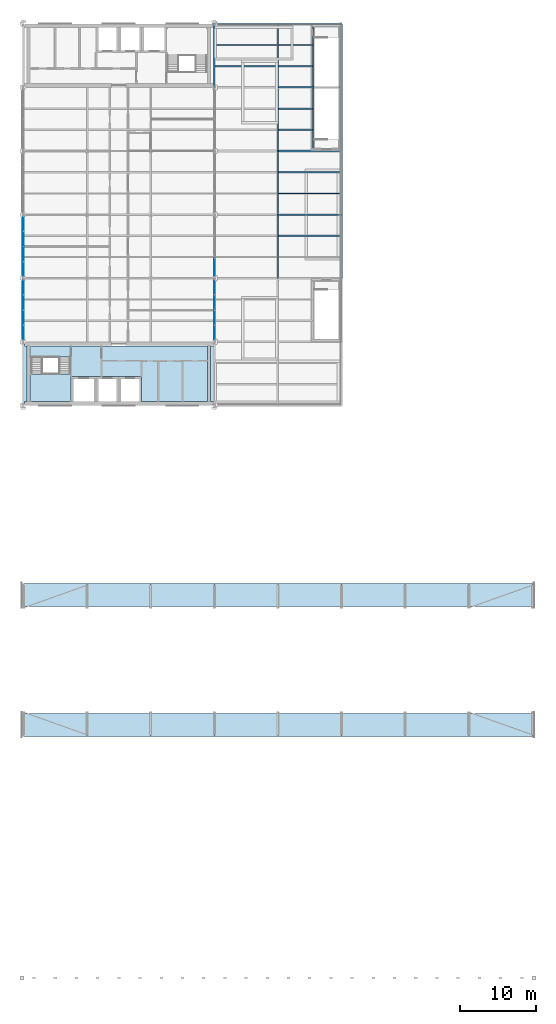
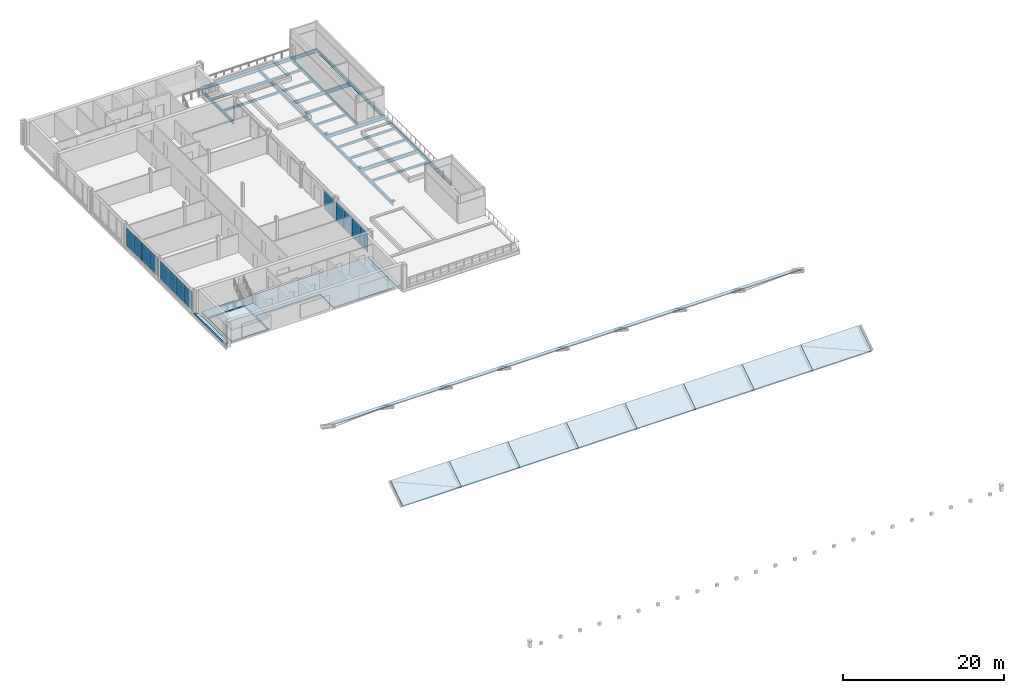
# One storey, part 22 of 32: 25 beams, 20 slabs, 13 plates, 5 elements without a shape of their own.
"""IFC4 building model written with IfcOpenShell, lengths in metres."""

from ifc_helpers import new_model, si_unit, direction, frame, origin, origin_2d, place, context, subcontext, project, spatial, polyline, rectangle, i_section, outline, extrude, material, layer, layer_set, material_profile, profile_set, type_object, element, aggregate, save


model = new_model("IFC4")

# Units and contexts
model_context = context("Model", 3, precision=1e-05, world=origin(), true_north=direction((0.0, 1.0)))
body_context = subcontext(model_context, "Body", "Model", "MODEL_VIEW")
ifc_project = project(units=[si_unit("LENGTHUNIT", "METRE"), si_unit("AREAUNIT", "SQUARE_METRE"), si_unit("VOLUMEUNIT", "CUBIC_METRE"), si_unit("PLANEANGLEUNIT", "RADIAN"), si_unit("MASSUNIT", "GRAM", prefix="KILO")], contexts=[model_context])

# Site, building, storey
site_placement = place(None, origin())
site = spatial("IfcSite", under=ifc_project, at=site_placement, CompositionType="ELEMENT")
building_placement = place(site_placement, origin())
building = spatial("IfcBuilding", under=site, at=building_placement, Name="Catenary Quay Ferry Terminal", CompositionType="ELEMENT")
storey_placement = place(building_placement, frame((0.0, 0.0, 17.10009765625)))
storey = spatial("IfcBuildingStorey", under=building, at=storey_placement, Name="L03", CompositionType="ELEMENT", Elevation=17.10009765625)

# Beams
ifc_material_1 = material(Name="Steel S355", Category="steel")
ifc_material_profile_1 = material_profile(ifc_material_1, i_section(OverallWidth=0.18994140625, OverallDepth=0.453369140625, WebThickness=0.008544921875, FlangeThickness=0.0126953125, at=origin_2d()), Name="UB 457x191x67")
ifc_profile_set_1 = profile_set([ifc_material_profile_1], Name="Steel S355")
beam_type_1 = type_object("IfcBeamType", Name="B1 UB 457x191x67", PredefinedType="BEAM", material=ifc_profile_set_1)
beam_1_placement = place(storey_placement, frame((50.39990234375, 201.60009765625, -0.47705078125), z_axis=(0.0, 1.0, 0.0), x_axis=(-1.0, 0.0, 0.0)))
element("IfcBeam", 1, at=beam_1_placement, inside=storey, type_object=beam_type_1, Name="Beam B1-021", PredefinedType="BEAM", context=body_context, shape_type="SweptSolid", body=[
    extrude(i_section(OverallWidth=0.18994140625, OverallDepth=0.453369140625, WebThickness=0.008544921875, FlangeThickness=0.0126953125, at=origin_2d()), origin(), (0.0, 0.0, 1.0), 8.39990234375),
])
beam_2_placement = place(storey_placement, frame((63.449951171875, 193.303955078125, -0.47705078125), z_axis=(0.0, 1.0, 0.0), x_axis=(-1.0, 0.0, 0.0)))
element("IfcBeam", 2, at=beam_2_placement, inside=storey, type_object=beam_type_1, Name="Beam B1-031", PredefinedType="BEAM", context=body_context, shape_type="SweptSolid", body=[
    extrude(i_section(OverallWidth=0.18994140625, OverallDepth=0.453369140625, WebThickness=0.008544921875, FlangeThickness=0.0126953125, at=origin_2d()), origin(), (0.0, 0.0, 1.0), 8.192138671875),
])
beam_3_placement = place(storey_placement, frame((63.449951171875, 201.7041015625, -0.47705078125), z_axis=(0.0, 1.0, 0.0), x_axis=(-1.0, 0.0, 0.0)))
element("IfcBeam", 3, at=beam_3_placement, inside=storey, type_object=beam_type_1, Name="Beam B1-032", PredefinedType="BEAM", context=body_context, shape_type="SweptSolid", body=[
    extrude(i_section(OverallWidth=0.18994140625, OverallDepth=0.453369140625, WebThickness=0.008544921875, FlangeThickness=0.0126953125, at=origin_2d()), origin(), (0.0, 0.0, 1.0), 8.19189453125),
])
ifc_material_2 = material(Name="Steel S355", Category="steel")
ifc_material_profile_2 = material_profile(ifc_material_2, i_section(OverallWidth=0.208740234375, OverallDepth=0.5283203125, WebThickness=0.009521484375, FlangeThickness=0.01318359375, at=origin_2d()), Name="UB 533x210x82")
ifc_profile_set_2 = profile_set([ifc_material_profile_2], Name="Steel S355")
beam_type_2 = type_object("IfcBeamType", Name="B5 UB 533x210x82", PredefinedType="BEAM", material=ifc_profile_set_2)
for number, where, z_axis, x_axis, name in (
    (4, (58.800048828125, 184.800048828125, -0.51416015625), (1.0, 0.0, 0.0), (0.0, 1.0, 0.0), "Beam B5-008"),
    (5, (58.800048828125, 193.199951171875, -0.51416015625), (1.0, 0.0, 0.0), (0.0, 1.0, 0.0), "Beam B5-010"),
    (6, (58.800048828125, 201.60009765625, -0.51416015625), (1.0, 0.0, 0.0), (0.0, 1.0, 0.0), "Beam B5-012"),
):
    element("IfcBeam", number, at=place(storey_placement, frame(where, z_axis=z_axis, x_axis=x_axis)), inside=storey, type_object=beam_type_2, Name=name, PredefinedType="BEAM", context=body_context, shape_type="SweptSolid", body=[
        extrude(i_section(OverallWidth=0.208740234375, OverallDepth=0.5283203125, WebThickness=0.009521484375, FlangeThickness=0.01318359375, at=origin_2d()), origin(), (0.0, 0.0, 1.0), 8.39990234375),
    ])
beam_4_placement = place(storey_placement, frame((50.39990234375, 210.0, -0.51416015625), z_axis=(1.0, 0.0, 0.0), x_axis=(0.0, 1.0, 0.0)))
element("IfcBeam", 7, at=beam_4_placement, inside=storey, type_object=beam_type_2, Name="Beam B5-013", PredefinedType="BEAM", context=body_context, shape_type="SweptSolid", body=[
    extrude(i_section(OverallWidth=0.208740234375, OverallDepth=0.5283203125, WebThickness=0.009521484375, FlangeThickness=0.01318359375, at=origin_2d()), origin(), (0.0, 0.0, 1.0), 8.400146484375),
])
beam_5_placement = place(storey_placement, frame((58.800048828125, 210.0, -0.51416015625), z_axis=(1.0, 0.0, 0.0), x_axis=(0.0, 1.0, 0.0)))
element("IfcBeam", 8, at=beam_5_placement, inside=storey, type_object=beam_type_2, Name="Beam B5-014", PredefinedType="BEAM", context=body_context, shape_type="SweptSolid", body=[
    extrude(i_section(OverallWidth=0.208740234375, OverallDepth=0.5283203125, WebThickness=0.009521484375, FlangeThickness=0.01318359375, at=origin_2d()), origin(), (0.0, 0.0, 1.0), 8.39990234375),
])
beam_6_placement = place(storey_placement, frame((58.800048828125, 176.39990234375, -0.51416015625), z_axis=(0.0, 1.0, 0.0), x_axis=(-1.0, 0.0, 0.0)))
element("IfcBeam", 9, at=beam_6_placement, inside=storey, type_object=beam_type_2, Name="Beam B5-017", PredefinedType="BEAM", context=body_context, shape_type="SweptSolid", body=[
    extrude(i_section(OverallWidth=0.208740234375, OverallDepth=0.5283203125, WebThickness=0.009521484375, FlangeThickness=0.01318359375, at=origin_2d()), origin(), (0.0, 0.0, 1.0), 8.400146484375),
])
beam_7_placement = place(storey_placement, frame((58.800048828125, 184.800048828125, -0.51416015625), z_axis=(0.0, 1.0, 0.0), x_axis=(-1.0, 0.0, 0.0)))
element("IfcBeam", 10, at=beam_7_placement, inside=storey, type_object=beam_type_2, Name="Beam B5-018", PredefinedType="BEAM", context=body_context, shape_type="SweptSolid", body=[
    extrude(i_section(OverallWidth=0.208740234375, OverallDepth=0.5283203125, WebThickness=0.009521484375, FlangeThickness=0.01318359375, at=origin_2d()), origin(), (0.0, 0.0, 1.0), 8.39990234375),
])
beam_8_placement = place(storey_placement, frame((58.800048828125, 193.199951171875, -0.51416015625), z_axis=(0.0, 1.0, 0.0), x_axis=(-1.0, 0.0, 0.0)))
element("IfcBeam", 11, at=beam_8_placement, inside=storey, type_object=beam_type_2, Name="Beam B5-019", PredefinedType="BEAM", context=body_context, shape_type="SweptSolid", body=[
    extrude(i_section(OverallWidth=0.208740234375, OverallDepth=0.5283203125, WebThickness=0.009521484375, FlangeThickness=0.01318359375, at=origin_2d()), origin(), (0.0, 0.0, 1.0), 8.400146484375),
])
beam_9_placement = place(storey_placement, frame((58.800048828125, 201.60009765625, -0.51416015625), z_axis=(0.0, 1.0, 0.0), x_axis=(-1.0, 0.0, 0.0)))
element("IfcBeam", 12, at=beam_9_placement, inside=storey, type_object=beam_type_2, Name="Beam B5-020", PredefinedType="BEAM", context=body_context, shape_type="SweptSolid", body=[
    extrude(i_section(OverallWidth=0.208740234375, OverallDepth=0.5283203125, WebThickness=0.009521484375, FlangeThickness=0.01318359375, at=origin_2d()), origin(), (0.0, 0.0, 1.0), 8.39990234375),
])
beam_10_placement = place(storey_placement, frame((67.199951171875, 176.39990234375, -0.51416015625), z_axis=(0.0, 1.0, 0.0), x_axis=(-1.0, 0.0, 0.0)))
element("IfcBeam", 13, at=beam_10_placement, inside=storey, type_object=beam_type_2, Name="Beam B5-023", PredefinedType="BEAM", context=body_context, shape_type="SweptSolid", body=[
    extrude(i_section(OverallWidth=0.208740234375, OverallDepth=0.5283203125, WebThickness=0.009521484375, FlangeThickness=0.01318359375, at=origin_2d()), origin(), (0.0, 0.0, 1.0), 8.400146484375),
])
beam_11_placement = place(storey_placement, frame((67.199951171875, 184.800048828125, -0.51416015625), z_axis=(0.0, 1.0, 0.0), x_axis=(-1.0, 0.0, 0.0)))
element("IfcBeam", 14, at=beam_11_placement, inside=storey, type_object=beam_type_2, Name="Beam B5-024", PredefinedType="BEAM", context=body_context, shape_type="SweptSolid", body=[
    extrude(i_section(OverallWidth=0.208740234375, OverallDepth=0.5283203125, WebThickness=0.009521484375, FlangeThickness=0.01318359375, at=origin_2d()), origin(), (0.0, 0.0, 1.0), 8.39990234375),
])
beam_12_placement = place(storey_placement, frame((67.199951171875, 193.199951171875, -0.51416015625), z_axis=(0.0, 1.0, 0.0), x_axis=(-1.0, 0.0, 0.0)))
element("IfcBeam", 15, at=beam_12_placement, inside=storey, type_object=beam_type_2, Name="Beam B5-025", PredefinedType="BEAM", context=body_context, shape_type="SweptSolid", body=[
    extrude(i_section(OverallWidth=0.208740234375, OverallDepth=0.5283203125, WebThickness=0.009521484375, FlangeThickness=0.01318359375, at=origin_2d()), origin(), (0.0, 0.0, 1.0), 8.400146484375),
])
beam_13_placement = place(storey_placement, frame((67.199951171875, 201.60009765625, -0.51416015625), z_axis=(0.0, 1.0, 0.0), x_axis=(-1.0, 0.0, 0.0)))
element("IfcBeam", 16, at=beam_13_placement, inside=storey, type_object=beam_type_2, Name="Beam B5-026", PredefinedType="BEAM", context=body_context, shape_type="SweptSolid", body=[
    extrude(i_section(OverallWidth=0.208740234375, OverallDepth=0.5283203125, WebThickness=0.009521484375, FlangeThickness=0.01318359375, at=origin_2d()), origin(), (0.0, 0.0, 1.0), 8.39990234375),
])
ifc_material_3 = material(Name="Steel S355", Category="steel")
ifc_material_profile_3 = material_profile(ifc_material_3, i_section(OverallWidth=0.169921875, OverallDepth=0.360107421875, WebThickness=0.008056640625, FlangeThickness=0.0126953125, at=origin_2d()), Name="IPE 360")
ifc_profile_set_3 = profile_set([ifc_material_profile_3], Name="Steel S355")
beam_type_3 = type_object("IfcBeamType", Name="B7 IPE 360", PredefinedType="BEAM", material=ifc_profile_set_3)
for number, where, z_axis, x_axis, name in (
    (17, (58.904052734375, 182.0, -0.43017578125), (1.0, 0.0, 0.0), (0.0, 1.0, 0.0), "Beam B7-012"),
    (18, (58.904052734375, 187.60009765625, -0.43017578125), (1.0, 0.0, 0.0), (0.0, 1.0, 0.0), "Beam B7-014"),
    (19, (58.904052734375, 190.39990234375, -0.43017578125), (1.0, 0.0, 0.0), (0.0, 1.0, 0.0), "Beam B7-016"),
):
    element("IfcBeam", number, at=place(storey_placement, frame(where, z_axis=z_axis, x_axis=x_axis)), inside=storey, type_object=beam_type_3, Name=name, PredefinedType="BEAM", context=body_context, shape_type="SweptSolid", body=[
        extrude(i_section(OverallWidth=0.169921875, OverallDepth=0.360107421875, WebThickness=0.008056640625, FlangeThickness=0.0126953125, at=origin_2d()), origin(), (0.0, 0.0, 1.0), 8.19189453125),
    ])
for number, where, z_axis, x_axis, name in (
    (20, (58.904052734375, 196.0, -0.43017578125), (1.0, 0.0, 0.0), (0.0, 1.0, 0.0), "Beam B7-018"),
    (21, (58.904052734375, 198.800048828125, -0.43017578125), (1.0, 0.0, 0.0), (0.0, 1.0, 0.0), "Beam B7-020"),
):
    element("IfcBeam", number, at=place(storey_placement, frame(where, z_axis=z_axis, x_axis=x_axis)), inside=storey, type_object=beam_type_3, Name=name, PredefinedType="BEAM", context=body_context, shape_type="SweptSolid", body=[
        extrude(i_section(OverallWidth=0.169921875, OverallDepth=0.360107421875, WebThickness=0.008056640625, FlangeThickness=0.0126953125, at=origin_2d()), origin(), (0.0, 0.0, 1.0), 4.450927734375),
    ])
beam_14_placement = place(storey_placement, frame((50.4951171875, 204.39990234375, -0.43017578125), z_axis=(1.0, 0.0, 0.0), x_axis=(0.0, 1.0, 0.0)))
element("IfcBeam", 22, at=beam_14_placement, inside=storey, type_object=beam_type_3, Name="Beam B7-021", PredefinedType="BEAM", context=body_context, shape_type="SweptSolid", body=[
    extrude(i_section(OverallWidth=0.169921875, OverallDepth=0.360107421875, WebThickness=0.008056640625, FlangeThickness=0.0126953125, at=origin_2d()), origin(), (0.0, 0.0, 1.0), 8.200927734375),
])
beam_15_placement = place(storey_placement, frame((58.904052734375, 204.39990234375, -0.43017578125), z_axis=(1.0, 0.0, 0.0), x_axis=(0.0, 1.0, 0.0)))
element("IfcBeam", 23, at=beam_15_placement, inside=storey, type_object=beam_type_3, Name="Beam B7-022", PredefinedType="BEAM", context=body_context, shape_type="SweptSolid", body=[
    extrude(i_section(OverallWidth=0.169921875, OverallDepth=0.360107421875, WebThickness=0.008056640625, FlangeThickness=0.0126953125, at=origin_2d()), origin(), (0.0, 0.0, 1.0), 4.450927734375),
])
beam_16_placement = place(storey_placement, frame((50.4951171875, 207.199951171875, -0.43017578125), z_axis=(1.0, 0.0, 0.0), x_axis=(0.0, 1.0, 0.0)))
element("IfcBeam", 24, at=beam_16_placement, inside=storey, type_object=beam_type_3, Name="Beam B7-023", PredefinedType="BEAM", context=body_context, shape_type="SweptSolid", body=[
    extrude(i_section(OverallWidth=0.169921875, OverallDepth=0.360107421875, WebThickness=0.008056640625, FlangeThickness=0.0126953125, at=origin_2d()), origin(), (0.0, 0.0, 1.0), 8.200927734375),
])
beam_17_placement = place(storey_placement, frame((58.904052734375, 207.199951171875, -0.43017578125), z_axis=(1.0, 0.0, 0.0), x_axis=(0.0, 1.0, 0.0)))
element("IfcBeam", 25, at=beam_17_placement, inside=storey, type_object=beam_type_3, Name="Beam B7-024", PredefinedType="BEAM", context=body_context, shape_type="SweptSolid", body=[
    extrude(i_section(OverallWidth=0.169921875, OverallDepth=0.360107421875, WebThickness=0.008056640625, FlangeThickness=0.0126953125, at=origin_2d()), origin(), (0.0, 0.0, 1.0), 4.450927734375),
])

# Slabs
ifc_material_4 = material(Name="Concrete C35/45", Category="concrete")
ifc_layer_1 = layer(ifc_material_4, 0.25)
ifc_layer_set_1 = layer_set([ifc_layer_1], Name="Composite floor slab 250")
slab_type_1 = type_object("IfcSlabType", Name="Composite floor slab 250", PredefinedType="FLOOR", material=ifc_layer_set_1)
slab_1_placement = place(storey_placement, frame((0.0, 0.0, -0.25)))
element("IfcSlab", 26, at=slab_1_placement, inside=storey, type_object=slab_type_1, Name="Wing floor slab L03", PredefinedType="FLOOR", context=body_context, shape_type="SweptSolid", body=[
    extrude(outline(polyline([(50.39990234375, 160.110107421875), (49.909912109375, 160.110107421875), (49.909912109375, 167.489990234375), (50.39990234375, 167.489990234375), (50.39990234375, 160.110107421875)])), origin(), (0.0, 0.0, 1.0), 0.25),
])
slab_2_placement = place(storey_placement, frame((0.0, 0.0, -0.25)))
element("IfcSlab", 27, at=slab_2_placement, inside=storey, type_object=slab_type_1, Name="Wing floor slab L03", PredefinedType="FLOOR", context=body_context, shape_type="SweptSolid", body=[
    extrude(outline(polyline([(25.199951171875, 167.739990234375), (25.340087890625, 167.739990234375), (25.340087890625, 167.489990234375), (25.68994140625, 167.489990234375), (25.68994140625, 160.110107421875), (25.340087890625, 160.110107421875), (25.340087890625, 159.860107421875), (25.199951171875, 159.860107421875), (25.199951171875, 167.739990234375)])), origin(), (0.0, 0.0, 1.0), 0.25),
])
slab_3_placement = place(storey_placement, frame((0.0, 0.0, -0.25)))
element("IfcSlab", 28, at=slab_3_placement, inside=storey, type_object=slab_type_1, Name="Wing floor slab L03", PredefinedType="FLOOR", context=body_context, shape_type="SweptSolid", body=[
    extrude(outline(polyline([(49.489990234375, 167.489990234375), (49.489990234375, 160.110107421875), (40.800048828125, 160.110107421875), (40.800048828125, 163.39990234375), (37.800048828125, 163.39990234375), (34.800048828125, 163.39990234375), (31.5, 163.39990234375), (31.5, 160.110107421875), (26.110107421875, 160.110107421875), (26.110107421875, 167.489990234375), (49.489990234375, 167.489990234375)]), holes=[polyline([(31.39990234375, 160.199951171875), (31.39990234375, 166.0), (26.199951171875, 166.0), (26.199951171875, 160.199951171875), (31.39990234375, 160.199951171875)])]), origin(), (0.0, 0.0, 1.0), 0.25),
])

# Curtain wall, plates
ifc_material_5 = material(Name="Aluminium and glass", Category="aluminium")
curtain_wall_type = type_object("IfcCurtainWallType", Name="CWW3", PredefinedType="NOTDEFINED", material=ifc_material_5)
curtain_wall_1_placement = place(storey_placement, origin())
curtain_wall_1 = element("IfcCurtainWall", 29, at=curtain_wall_1_placement, inside=storey, type_object=curtain_wall_type, Name="Wing curtain wall CW144", PredefinedType="NOTDEFINED")
ifc_material_6 = material(Name="Glass", Category="glass")
ifc_layer_2 = layer(ifc_material_6, 0.035888671875)
ifc_layer_set_2 = layer_set([ifc_layer_2], Name="PN4")
plate_type = type_object("IfcPlateType", Name="PN4", PredefinedType="CURTAIN_PANEL", material=ifc_layer_set_2)
plate_1_placement = place(storey_placement, frame((50.39990234375, 169.215087890625, 0.0498046875), z_axis=(0.0, 0.0, 1.0), x_axis=(0.0, 1.0, 0.0)))
plate_1 = element("IfcPlate", 30, at=plate_1_placement, type_object=plate_type, Name="CW144 panel 1.1", PredefinedType="CURTAIN_PANEL", context=body_context, shape_type="SweptSolid", body=[
    extrude(rectangle(XDim=1.909912109375, YDim=0.035888671875, at=origin_2d()), origin(), (0.0, 0.0, 1.0), 2.800048828125),
])
plate_2_placement = place(storey_placement, frame((50.39990234375, 171.199951171875, 0.0498046875), z_axis=(0.0, 0.0, 1.0), x_axis=(0.0, 1.0, 0.0)))
plate_2 = element("IfcPlate", 31, at=plate_2_placement, type_object=plate_type, Name="CW144 panel 2.1", PredefinedType="CURTAIN_PANEL", context=body_context, shape_type="SweptSolid", body=[
    extrude(rectangle(XDim=1.93994140625, YDim=0.035888671875, at=origin_2d()), origin(), (0.0, 0.0, 1.0), 2.800048828125),
])
plate_3_placement = place(storey_placement, frame((50.39990234375, 173.199951171875, 0.0498046875), z_axis=(0.0, 0.0, 1.0), x_axis=(0.0, 1.0, 0.0)))
plate_3 = element("IfcPlate", 32, at=plate_3_placement, type_object=plate_type, Name="CW144 panel 3.1", PredefinedType="CURTAIN_PANEL", context=body_context, shape_type="SweptSolid", body=[
    extrude(rectangle(XDim=1.93994140625, YDim=0.035888671875, at=origin_2d()), origin(), (0.0, 0.0, 1.0), 2.800048828125),
])
plate_4_placement = place(storey_placement, frame((50.39990234375, 175.18505859375, 0.0498046875), z_axis=(0.0, 0.0, 1.0), x_axis=(0.0, 1.0, 0.0)))
plate_4 = element("IfcPlate", 33, at=plate_4_placement, type_object=plate_type, Name="CW144 panel 4.1", PredefinedType="CURTAIN_PANEL", context=body_context, shape_type="SweptSolid", body=[
    extrude(rectangle(XDim=1.909912109375, YDim=0.035888671875, at=origin_2d()), origin(), (0.0, 0.0, 1.0), 2.800048828125),
])
aggregate(curtain_wall_1, [plate_1, plate_2, plate_3, plate_4])

# Curtain wall, plate
curtain_wall_2_placement = place(storey_placement, origin())
curtain_wall_2 = element("IfcCurtainWall", 34, at=curtain_wall_2_placement, inside=storey, type_object=curtain_wall_type, Name="Wing curtain wall CW145", PredefinedType="NOTDEFINED")
plate_5_placement = place(storey_placement, frame((50.39990234375, 177.85009765625, 0.0498046875), z_axis=(0.0, 0.0, 1.0), x_axis=(0.0, 1.0, 0.0)))
plate_5 = element("IfcPlate", 35, at=plate_5_placement, type_object=plate_type, Name="CW145 panel 1.1", PredefinedType="CURTAIN_PANEL", context=body_context, shape_type="SweptSolid", body=[
    extrude(rectangle(XDim=2.3798828125, YDim=0.035888671875, at=origin_2d()), origin(), (0.0, 0.0, 1.0), 2.800048828125),
])
aggregate(curtain_wall_2, [plate_5])

# Curtain wall, plates
curtain_wall_3_placement = place(storey_placement, origin())
curtain_wall_3 = element("IfcCurtainWall", 36, at=curtain_wall_3_placement, inside=storey, type_object=curtain_wall_type, Name="Wing curtain wall CW150", PredefinedType="NOTDEFINED")
plate_6_placement = place(storey_placement, frame((25.199951171875, 169.215087890625, 0.0498046875), z_axis=(0.0, 0.0, 1.0), x_axis=(0.0, 1.0, 0.0)))
plate_6 = element("IfcPlate", 37, at=plate_6_placement, type_object=plate_type, Name="CW150 panel 1.1", PredefinedType="CURTAIN_PANEL", context=body_context, shape_type="SweptSolid", body=[
    extrude(rectangle(XDim=1.909912109375, YDim=0.035888671875, at=origin_2d()), origin(), (0.0, 0.0, 1.0), 2.800048828125),
])
plate_7_placement = place(storey_placement, frame((25.199951171875, 171.199951171875, 0.0498046875), z_axis=(0.0, 0.0, 1.0), x_axis=(0.0, 1.0, 0.0)))
plate_7 = element("IfcPlate", 38, at=plate_7_placement, type_object=plate_type, Name="CW150 panel 2.1", PredefinedType="CURTAIN_PANEL", context=body_context, shape_type="SweptSolid", body=[
    extrude(rectangle(XDim=1.93994140625, YDim=0.035888671875, at=origin_2d()), origin(), (0.0, 0.0, 1.0), 2.800048828125),
])
plate_8_placement = place(storey_placement, frame((25.199951171875, 173.199951171875, 0.0498046875), z_axis=(0.0, 0.0, 1.0), x_axis=(0.0, 1.0, 0.0)))
plate_8 = element("IfcPlate", 39, at=plate_8_placement, type_object=plate_type, Name="CW150 panel 3.1", PredefinedType="CURTAIN_PANEL", context=body_context, shape_type="SweptSolid", body=[
    extrude(rectangle(XDim=1.93994140625, YDim=0.035888671875, at=origin_2d()), origin(), (0.0, 0.0, 1.0), 2.800048828125),
])
plate_9_placement = place(storey_placement, frame((25.199951171875, 175.18505859375, 0.0498046875), z_axis=(0.0, 0.0, 1.0), x_axis=(0.0, 1.0, 0.0)))
plate_9 = element("IfcPlate", 40, at=plate_9_placement, type_object=plate_type, Name="CW150 panel 4.1", PredefinedType="CURTAIN_PANEL", context=body_context, shape_type="SweptSolid", body=[
    extrude(rectangle(XDim=1.909912109375, YDim=0.035888671875, at=origin_2d()), origin(), (0.0, 0.0, 1.0), 2.800048828125),
])
aggregate(curtain_wall_3, [plate_6, plate_7, plate_8, plate_9])

curtain_wall_4_placement = place(storey_placement, origin())
curtain_wall_4 = element("IfcCurtainWall", 41, at=curtain_wall_4_placement, inside=storey, type_object=curtain_wall_type, Name="Wing curtain wall CW151", PredefinedType="NOTDEFINED")
plate_10_placement = place(storey_placement, frame((25.199951171875, 177.614990234375, 0.0498046875), z_axis=(0.0, 0.0, 1.0), x_axis=(0.0, 1.0, 0.0)))
plate_10 = element("IfcPlate", 42, at=plate_10_placement, type_object=plate_type, Name="CW151 panel 1.1", PredefinedType="CURTAIN_PANEL", context=body_context, shape_type="SweptSolid", body=[
    extrude(rectangle(XDim=1.909912109375, YDim=0.035888671875, at=origin_2d()), origin(), (0.0, 0.0, 1.0), 2.800048828125),
])
plate_11_placement = place(storey_placement, frame((25.199951171875, 179.60009765625, 0.0498046875), z_axis=(0.0, 0.0, 1.0), x_axis=(0.0, 1.0, 0.0)))
plate_11 = element("IfcPlate", 43, at=plate_11_placement, type_object=plate_type, Name="CW151 panel 2.1", PredefinedType="CURTAIN_PANEL", context=body_context, shape_type="SweptSolid", body=[
    extrude(rectangle(XDim=1.93994140625, YDim=0.035888671875, at=origin_2d()), origin(), (0.0, 0.0, 1.0), 2.800048828125),
])
plate_12_placement = place(storey_placement, frame((25.199951171875, 181.60009765625, 0.0498046875), z_axis=(0.0, 0.0, 1.0), x_axis=(0.0, 1.0, 0.0)))
plate_12 = element("IfcPlate", 44, at=plate_12_placement, type_object=plate_type, Name="CW151 panel 3.1", PredefinedType="CURTAIN_PANEL", context=body_context, shape_type="SweptSolid", body=[
    extrude(rectangle(XDim=1.93994140625, YDim=0.035888671875, at=origin_2d()), origin(), (0.0, 0.0, 1.0), 2.800048828125),
])
plate_13_placement = place(storey_placement, frame((25.199951171875, 183.5849609375, 0.0498046875), z_axis=(0.0, 0.0, 1.0), x_axis=(0.0, 1.0, 0.0)))
plate_13 = element("IfcPlate", 45, at=plate_13_placement, type_object=plate_type, Name="CW151 panel 4.1", PredefinedType="CURTAIN_PANEL", context=body_context, shape_type="SweptSolid", body=[
    extrude(rectangle(XDim=1.909912109375, YDim=0.035888671875, at=origin_2d()), origin(), (0.0, 0.0, 1.0), 2.800048828125),
])
aggregate(curtain_wall_4, [plate_10, plate_11, plate_12, plate_13])

# Stair, slab
ifc_material_7 = material(Name="Concrete C35/45", Category="concrete")
stair_type = type_object("IfcStairType", Name="STX1500", PredefinedType="HALF_TURN_STAIR", material=ifc_material_7)
stair_placement = place(storey_placement, origin())
stair = element("IfcStair", 46, at=stair_placement, inside=storey, type_object=stair_type, Name="Stair HS2 L03 to L04", PredefinedType="HALF_TURN_STAIR")
ifc_material_8 = material(Name="Concrete C35/45", Category="concrete")
ifc_layer_3 = layer(ifc_material_8, 0.199951171875)
ifc_layer_set_3 = layer_set([ifc_layer_3], Name="SLX1500")
slab_type_2 = type_object("IfcSlabType", Name="SLX1500", PredefinedType="LANDING", material=ifc_layer_set_3)
slab_4_placement = place(storey_placement, frame((0.0, 0.0, 1.5498046875)))
slab_4 = element("IfcSlab", 47, at=slab_4_placement, type_object=slab_type_2, Name="HS2-L03 landing 1", PredefinedType="LANDING", context=body_context, shape_type="SweptSolid", body=[
    extrude(outline(polyline([(26.199951171875, 160.199951171875), (26.10009765625, 160.199951171875), (26.10009765625, 163.75), (31.39990234375, 163.75), (31.39990234375, 163.39990234375), (31.5, 163.39990234375), (31.5, 160.199951171875), (31.39990234375, 160.199951171875), (31.39990234375, 160.10009765625), (26.199951171875, 160.10009765625), (26.199951171875, 160.199951171875)])), origin(), (0.0, 0.0, 1.0), 0.2001953125),
])
aggregate(stair, [slab_4])

# Slabs
ifc_material_9 = material(Name="Concrete C35/45", Category="concrete")
ifc_layer_4 = layer(ifc_material_9, 0.1201171875)
ifc_layer_set_4 = layer_set([ifc_layer_4], Name="Thin concrete shell roof slab C35/45 120")
slab_type_3 = type_object("IfcSlabType", Name="Thin concrete shell roof slab C35/45 120", PredefinedType="ROOF", material=ifc_layer_set_4)
slab_5_placement = place(storey_placement, frame((25.199951171875, 115.92431640625, 2.143798828125), z_axis=(0.0, -0.556196261257, 0.831050972543), x_axis=(1.0, 0.0, 0.0)))
element("IfcSlab", 48, at=slab_5_placement, inside=storey, type_object=slab_type_3, Name="Roof shell panel VD-01-04", PredefinedType="ROOF", context=body_context, shape_type="SweptSolid", body=[
    extrude(outline(polyline([(0.0, 0.0), (8.400146484375, 0.0), (8.400146484375, 3.650721372231291), (0.0, 3.650721372231291), (0.0, 0.0)])), origin(), (0.0, -0.556196261257, -0.831050972543), 0.144287109375),
])
slab_6_placement = place(storey_placement, frame((25.199951171875, 133.041748046875, 4.17431640625), z_axis=(0.0, 0.556196261257, 0.831050972543), x_axis=(1.0, 0.0, 0.0)))
element("IfcSlab", 49, at=slab_6_placement, inside=storey, type_object=slab_type_3, Name="Roof shell panel VD-01-09", PredefinedType="ROOF", context=body_context, shape_type="SweptSolid", body=[
    extrude(outline(polyline([(0.0, 0.0), (8.400146484375, 0.0), (8.400146484375, 3.650721372231291), (0.0, 3.650721372231291), (0.0, 0.0)])), origin(), (0.0, 0.556196261257, -0.831050972543), 0.144287109375),
])
slab_7_placement = place(storey_placement, frame((33.60009765625, 115.92431640625, 2.143798828125), z_axis=(0.0, -0.556196261257, 0.831050972543), x_axis=(1.0, 0.0, 0.0)))
element("IfcSlab", 50, at=slab_7_placement, inside=storey, type_object=slab_type_3, Name="Roof shell panel VD-02-04", PredefinedType="ROOF", context=body_context, shape_type="SweptSolid", body=[
    extrude(outline(polyline([(0.0, 0.0), (8.39990234375, 0.0), (8.39990234375, 3.650721372231291), (0.0, 3.650721372231291), (0.0, 0.0)])), origin(), (0.0, -0.556196261257, -0.831050972543), 0.144287109375),
])
slab_8_placement = place(storey_placement, frame((33.60009765625, 133.041748046875, 4.17431640625), z_axis=(0.0, 0.556196261257, 0.831050972543), x_axis=(1.0, 0.0, 0.0)))
element("IfcSlab", 51, at=slab_8_placement, inside=storey, type_object=slab_type_3, Name="Roof shell panel VD-02-09", PredefinedType="ROOF", context=body_context, shape_type="SweptSolid", body=[
    extrude(outline(polyline([(0.0, 0.0), (8.39990234375, 0.0), (8.39990234375, 3.650721372231291), (0.0, 3.650721372231291), (0.0, 0.0)])), origin(), (0.0, 0.556196261257, -0.831050972543), 0.144287109375),
])
slab_9_placement = place(storey_placement, frame((42.0, 115.92431640625, 2.143798828125), z_axis=(0.0, -0.556196261257, 0.831050972543), x_axis=(1.0, 0.0, 0.0)))
element("IfcSlab", 52, at=slab_9_placement, inside=storey, type_object=slab_type_3, Name="Roof shell panel VD-03-04", PredefinedType="ROOF", context=body_context, shape_type="SweptSolid", body=[
    extrude(outline(polyline([(0.0, 0.0), (8.39990234375, 0.0), (8.39990234375, 3.650721372231291), (0.0, 3.650721372231291), (0.0, 0.0)])), origin(), (0.0, -0.556196261257, -0.831050972543), 0.144287109375),
])
slab_10_placement = place(storey_placement, frame((42.0, 133.041748046875, 4.17431640625), z_axis=(0.0, 0.556196261257, 0.831050972543), x_axis=(1.0, 0.0, 0.0)))
element("IfcSlab", 53, at=slab_10_placement, inside=storey, type_object=slab_type_3, Name="Roof shell panel VD-03-09", PredefinedType="ROOF", context=body_context, shape_type="SweptSolid", body=[
    extrude(outline(polyline([(0.0, 0.0), (8.39990234375, 0.0), (8.39990234375, 3.650721372231291), (0.0, 3.650721372231291), (0.0, 0.0)])), origin(), (0.0, 0.556196261257, -0.831050972543), 0.144287109375),
])
slab_11_placement = place(storey_placement, frame((50.39990234375, 115.92431640625, 2.143798828125), z_axis=(0.0, -0.556196261257, 0.831050972543), x_axis=(1.0, 0.0, 0.0)))
element("IfcSlab", 54, at=slab_11_placement, inside=storey, type_object=slab_type_3, Name="Roof shell panel VD-04-04", PredefinedType="ROOF", context=body_context, shape_type="SweptSolid", body=[
    extrude(outline(polyline([(0.0, 0.0), (8.400146484375, 0.0), (8.400146484375, 3.650721372231291), (0.0, 3.650721372231291), (0.0, 0.0)])), origin(), (0.0, -0.556196261257, -0.831050972543), 0.144287109375),
])
slab_12_placement = place(storey_placement, frame((50.39990234375, 133.041748046875, 4.17431640625), z_axis=(0.0, 0.556196261257, 0.831050972543), x_axis=(1.0, 0.0, 0.0)))
element("IfcSlab", 55, at=slab_12_placement, inside=storey, type_object=slab_type_3, Name="Roof shell panel VD-04-09", PredefinedType="ROOF", context=body_context, shape_type="SweptSolid", body=[
    extrude(outline(polyline([(0.0, 0.0), (8.400146484375, 0.0), (8.400146484375, 3.650721372231291), (0.0, 3.650721372231291), (0.0, 0.0)])), origin(), (0.0, 0.556196261257, -0.831050972543), 0.144287109375),
])
slab_13_placement = place(storey_placement, frame((58.800048828125, 115.92431640625, 2.143798828125), z_axis=(0.0, -0.556196261257, 0.831050972543), x_axis=(1.0, 0.0, 0.0)))
element("IfcSlab", 56, at=slab_13_placement, inside=storey, type_object=slab_type_3, Name="Roof shell panel VD-05-04", PredefinedType="ROOF", context=body_context, shape_type="SweptSolid", body=[
    extrude(outline(polyline([(0.0, 0.0), (8.39990234375, 0.0), (8.39990234375, 3.650721372231291), (0.0, 3.650721372231291), (0.0, 0.0)])), origin(), (0.0, -0.556196261257, -0.831050972543), 0.144287109375),
])
slab_14_placement = place(storey_placement, frame((58.800048828125, 133.041748046875, 4.17431640625), z_axis=(0.0, 0.556196261257, 0.831050972543), x_axis=(1.0, 0.0, 0.0)))
element("IfcSlab", 57, at=slab_14_placement, inside=storey, type_object=slab_type_3, Name="Roof shell panel VD-05-09", PredefinedType="ROOF", context=body_context, shape_type="SweptSolid", body=[
    extrude(outline(polyline([(0.0, 0.0), (8.39990234375, 0.0), (8.39990234375, 3.650721372231291), (0.0, 3.650721372231291), (0.0, 0.0)])), origin(), (0.0, 0.556196261257, -0.831050972543), 0.144287109375),
])
slab_15_placement = place(storey_placement, frame((67.199951171875, 115.92431640625, 2.143798828125), z_axis=(0.0, -0.556196261257, 0.831050972543), x_axis=(1.0, 0.0, 0.0)))
element("IfcSlab", 58, at=slab_15_placement, inside=storey, type_object=slab_type_3, Name="Roof shell panel VD-06-04", PredefinedType="ROOF", context=body_context, shape_type="SweptSolid", body=[
    extrude(outline(polyline([(0.0, 0.0), (8.400146484375, 0.0), (8.400146484375, 3.650721372231291), (0.0, 3.650721372231291), (0.0, 0.0)])), origin(), (0.0, -0.556196261257, -0.831050972543), 0.144287109375),
])
slab_16_placement = place(storey_placement, frame((67.199951171875, 133.041748046875, 4.17431640625), z_axis=(0.0, 0.556196261257, 0.831050972543), x_axis=(1.0, 0.0, 0.0)))
element("IfcSlab", 59, at=slab_16_placement, inside=storey, type_object=slab_type_3, Name="Roof shell panel VD-06-09", PredefinedType="ROOF", context=body_context, shape_type="SweptSolid", body=[
    extrude(outline(polyline([(0.0, 0.0), (8.400146484375, 0.0), (8.400146484375, 3.650721372231291), (0.0, 3.650721372231291), (0.0, 0.0)])), origin(), (0.0, 0.556196261257, -0.831050972543), 0.144287109375),
])
slab_17_placement = place(storey_placement, frame((75.60009765625, 115.92431640625, 2.143798828125), z_axis=(0.0, -0.556196261257, 0.831050972543), x_axis=(1.0, 0.0, 0.0)))
element("IfcSlab", 60, at=slab_17_placement, inside=storey, type_object=slab_type_3, Name="Roof shell panel VD-07-04", PredefinedType="ROOF", context=body_context, shape_type="SweptSolid", body=[
    extrude(outline(polyline([(0.0, 0.0), (8.39990234375, 0.0), (8.39990234375, 3.650721372231291), (0.0, 3.650721372231291), (0.0, 0.0)])), origin(), (0.0, -0.556196261257, -0.831050972543), 0.144287109375),
])
slab_18_placement = place(storey_placement, frame((75.60009765625, 133.041748046875, 4.17431640625), z_axis=(0.0, 0.556196261257, 0.831050972543), x_axis=(1.0, 0.0, 0.0)))
element("IfcSlab", 61, at=slab_18_placement, inside=storey, type_object=slab_type_3, Name="Roof shell panel VD-07-09", PredefinedType="ROOF", context=body_context, shape_type="SweptSolid", body=[
    extrude(outline(polyline([(0.0, 0.0), (8.39990234375, 0.0), (8.39990234375, 3.650721372231291), (0.0, 3.650721372231291), (0.0, 0.0)])), origin(), (0.0, 0.556196261257, -0.831050972543), 0.144287109375),
])
slab_19_placement = place(storey_placement, frame((84.0, 115.92431640625, 2.143798828125), z_axis=(0.0, -0.556196261257, 0.831050972543), x_axis=(1.0, 0.0, 0.0)))
element("IfcSlab", 62, at=slab_19_placement, inside=storey, type_object=slab_type_3, Name="Roof shell panel VD-08-04", PredefinedType="ROOF", context=body_context, shape_type="SweptSolid", body=[
    extrude(outline(polyline([(0.0, 0.0), (8.39990234375, 0.0), (8.39990234375, 3.650721372231291), (0.0, 3.650721372231291), (0.0, 0.0)])), origin(), (0.0, -0.556196261257, -0.831050972543), 0.144287109375),
])
slab_20_placement = place(storey_placement, frame((84.0, 133.041748046875, 4.17431640625), z_axis=(0.0, 0.556196261257, 0.831050972543), x_axis=(1.0, 0.0, 0.0)))
element("IfcSlab", 63, at=slab_20_placement, inside=storey, type_object=slab_type_3, Name="Roof shell panel VD-08-09", PredefinedType="ROOF", context=body_context, shape_type="SweptSolid", body=[
    extrude(outline(polyline([(0.0, 0.0), (8.39990234375, 0.0), (8.39990234375, 3.650721372231291), (0.0, 3.650721372231291), (0.0, 0.0)])), origin(), (0.0, 0.556196261257, -0.831050972543), 0.144287109375),
])

save(model, "model.ifc")
